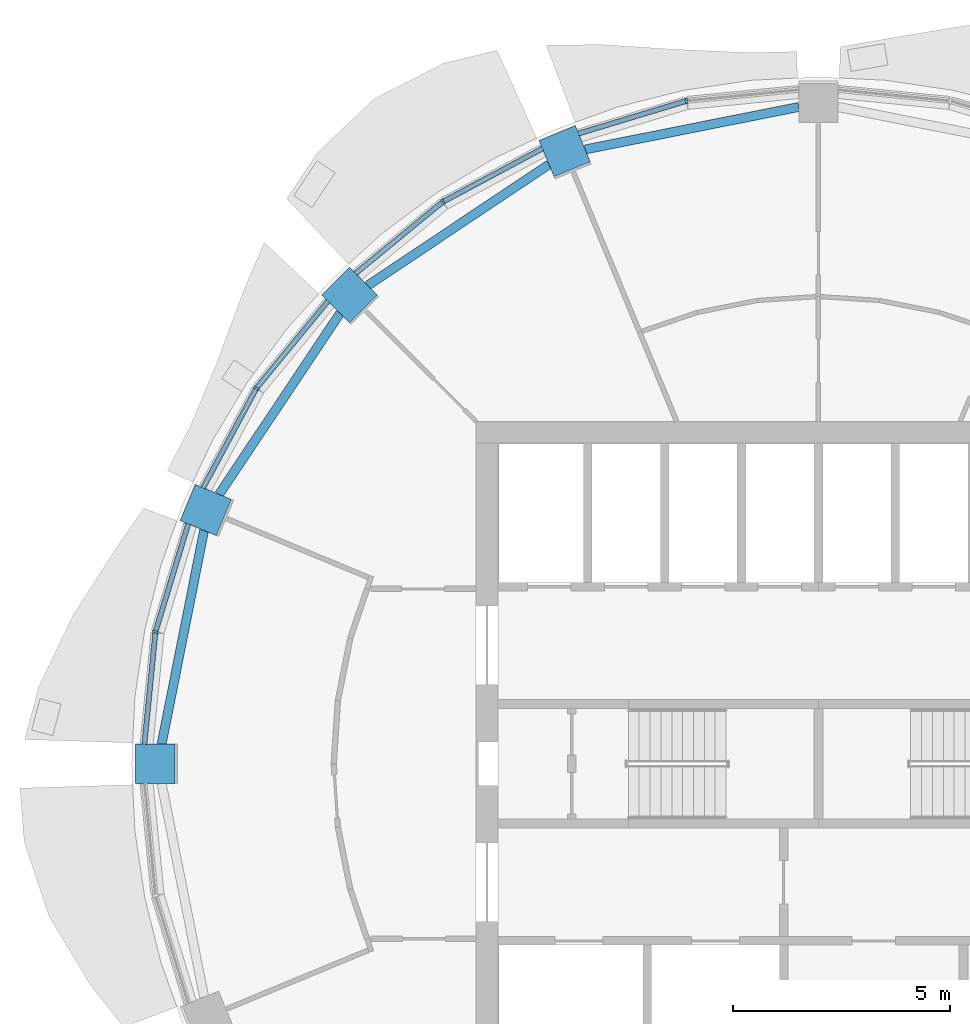
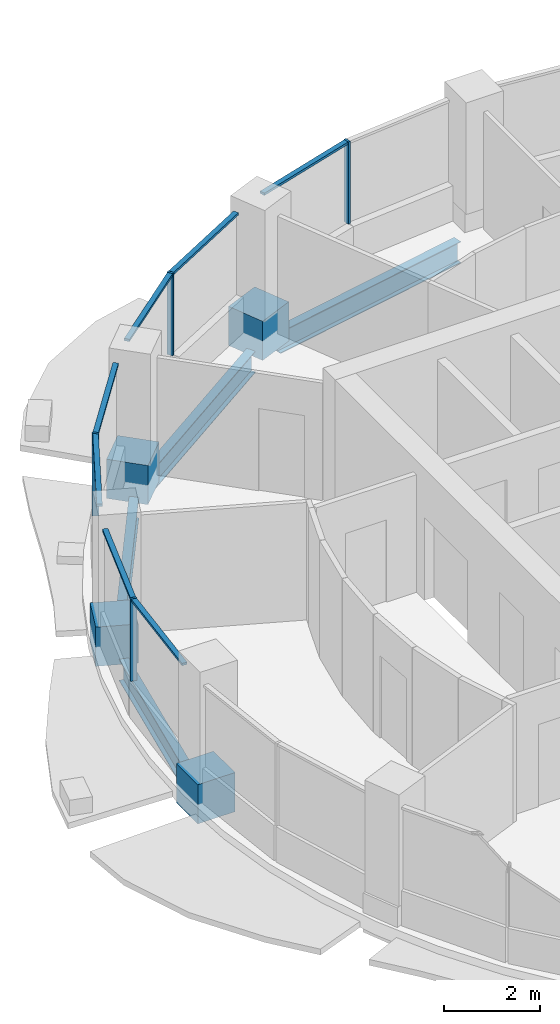
# One storey, part 4 of 14: 15 members, 4 beams, 4 elements without a shape of their own.
"""IFC4 building model written with IfcOpenShell, lengths in metres."""

from ifc_helpers import new_model, si_unit, direction, frame, origin, origin_2d, place, context, subcontext, project, spatial, rectangle, i_section, extrude, material, material_profile, profile_set, type_object, element, aggregate, save


model = new_model("IFC4")

# Units and contexts
model_context = context("Model", 3, precision=1e-05, world=origin(), true_north=direction((0.0, 1.0)))
body_context = subcontext(model_context, "Body", "Model", "MODEL_VIEW")
ifc_project = project(units=[si_unit("LENGTHUNIT", "METRE"), si_unit("AREAUNIT", "SQUARE_METRE"), si_unit("VOLUMEUNIT", "CUBIC_METRE"), si_unit("PLANEANGLEUNIT", "RADIAN"), si_unit("MASSUNIT", "GRAM", prefix="KILO")], contexts=[model_context])

# Site, building, storey
site_placement = place(None, origin())
site = spatial("IfcSite", under=ifc_project, at=site_placement, CompositionType="ELEMENT")
building_placement = place(site_placement, origin())
building = spatial("IfcBuilding", under=site, at=building_placement, Name="Polderwave Tower", CompositionType="ELEMENT")
storey_placement = place(building_placement, frame((0.0, 0.0, 217.800048828125)))
storey = spatial("IfcBuildingStorey", under=building, at=storey_placement, Name="L59", CompositionType="ELEMENT", Elevation=217.800048828125)

# Curtain wall, member
ifc_material_1 = material(Name="Aluminium 6063-T6 and glass", Category="aluminium")
curtain_wall_type = type_object("IfcCurtainWallType", Name="Office ribbon glazing wall", PredefinedType="NOTDEFINED", material=ifc_material_1)
curtain_wall_1_placement = place(storey_placement, origin())
curtain_wall_1 = element("IfcCurtainWall", 1, at=curtain_wall_1_placement, inside=storey, type_object=curtain_wall_type, Name="CW3 L59 04", PredefinedType="NOTDEFINED")
ifc_material_2 = material(Name="Aluminium 6063-T6", Category="aluminium")
ifc_material_profile_1 = material_profile(ifc_material_2, rectangle(XDim=0.139892578125, YDim=0.054931640625, at=origin_2d()), Name="AL 55x140")
ifc_profile_set_1 = profile_set([ifc_material_profile_1], Name="Aluminium 6063-T6")
member_type_1 = type_object("IfcMemberType", Name="Office ribbon glazing mullion 55x140", PredefinedType="MULLION", material=ifc_profile_set_1)
member_1_placement = place(storey_placement, frame((-3.033935546875, 15.2509765625, 0.89990234375), z_axis=(0.0, 0.0, 1.0), x_axis=(0.195092033809, -0.980784939905, 0.0)))
member_1 = element("IfcMember", 2, at=member_1_placement, type_object=member_type_1, Name="CW3 mullion 1", PredefinedType="MULLION", context=body_context, shape_type="SweptSolid", body=[
    extrude(rectangle(XDim=0.139892578125, YDim=0.054931640625, at=origin_2d()), origin(), (0.0, 0.0, 1.0), 2.10009765625),
])

curtain_wall_2_placement = place(storey_placement, origin())
curtain_wall_2 = element("IfcCurtainWall", 3, at=curtain_wall_2_placement, inside=storey, type_object=curtain_wall_type, Name="CW3 L59 05", PredefinedType="NOTDEFINED")
member_2_placement = place(storey_placement, frame((-8.638916015625, 12.928955078125, 0.89990234375), z_axis=(0.0, 0.0, 1.0), x_axis=(0.555628279195, -0.831430824157, 0.0)))
member_2 = element("IfcMember", 4, at=member_2_placement, type_object=member_type_1, Name="CW3 mullion 1", PredefinedType="MULLION", context=body_context, shape_type="SweptSolid", body=[
    extrude(rectangle(XDim=0.139892578125, YDim=0.054931640625, at=origin_2d()), origin(), (0.0, 0.0, 1.0), 2.10009765625),
])

curtain_wall_3_placement = place(storey_placement, origin())
curtain_wall_3 = element("IfcCurtainWall", 5, at=curtain_wall_3_placement, inside=storey, type_object=curtain_wall_type, Name="CW3 L59 06", PredefinedType="NOTDEFINED")
member_3_placement = place(storey_placement, frame((-12.928955078125, 8.638916015625, 0.89990234375), z_axis=(0.0, 0.0, 1.0), x_axis=(0.831430824157, -0.555628279195, 0.0)))
member_3 = element("IfcMember", 6, at=member_3_placement, type_object=member_type_1, Name="CW3 mullion 1", PredefinedType="MULLION", context=body_context, shape_type="SweptSolid", body=[
    extrude(rectangle(XDim=0.139892578125, YDim=0.054931640625, at=origin_2d()), origin(), (0.0, 0.0, 1.0), 2.10009765625),
])

curtain_wall_4_placement = place(storey_placement, origin())
curtain_wall_4 = element("IfcCurtainWall", 7, at=curtain_wall_4_placement, inside=storey, type_object=curtain_wall_type, Name="CW3 L59 07", PredefinedType="NOTDEFINED")
member_4_placement = place(storey_placement, frame((-15.2509765625, 3.033935546875, 0.89990234375), z_axis=(0.0, 0.0, 1.0), x_axis=(0.980784939905, -0.195092033809, 0.0)))
member_4 = element("IfcMember", 8, at=member_4_placement, type_object=member_type_1, Name="CW3 mullion 1", PredefinedType="MULLION", context=body_context, shape_type="SweptSolid", body=[
    extrude(rectangle(XDim=0.139892578125, YDim=0.054931640625, at=origin_2d()), origin(), (0.0, 0.0, 1.0), 2.10009765625),
])

# Member
ifc_material_profile_2 = material_profile(ifc_material_2, rectangle(XDim=0.1201171875, YDim=0.06005859375, at=origin_2d()), Name="AL 60x120")
ifc_profile_set_2 = profile_set([ifc_material_profile_2], Name="Aluminium 6063-T6")
member_type_2 = type_object("IfcMemberType", Name="Office ribbon glazing transom 60x120", PredefinedType="USERDEFINED", material=ifc_profile_set_2)
member_5_placement = place(storey_placement, frame((-3.060302734375, 15.242919921875, 2.969970703125), z_axis=(-0.95701400989, -0.290041695061, 0.0), x_axis=(0.290041695061, -0.95701400989, 0.0)))
member_5 = element("IfcMember", 9, at=member_5_placement, type_object=member_type_2, Name="CW3 transom 2", ObjectType="TRANSOM", PredefinedType="USERDEFINED", context=body_context, shape_type="SweptSolid", body=[
    extrude(rectangle(XDim=0.1201171875, YDim=0.06005859375, at=origin_2d()), origin(), (0.0, 0.0, 1.0), 2.568115234375),
])

aggregate(curtain_wall_1, [member_1, member_5])

member_6_placement = place(storey_placement, frame((-6.35009765625, 14.153076171875, 2.969970703125), z_axis=(-0.881807627189, -0.471609275387, 0.0), x_axis=(0.471609275387, -0.881807627189, 0.0)))
member_6 = element("IfcMember", 10, at=member_6_placement, type_object=member_type_2, Name="CW3 transom 1", ObjectType="TRANSOM", PredefinedType="USERDEFINED", context=body_context, shape_type="SweptSolid", body=[
    extrude(rectangle(XDim=0.1201171875, YDim=0.06005859375, at=origin_2d()), origin(), (0.0, 0.0, 1.0), 2.568115234375),
])

member_7_placement = place(storey_placement, frame((-8.660400390625, 12.91162109375, 2.969970703125), z_axis=(-0.772990905552, -0.634417102491, 0.0), x_axis=(0.634417102491, -0.772990905552, 0.0)))
member_7 = element("IfcMember", 11, at=member_7_placement, type_object=member_type_2, Name="CW3 transom 2", ObjectType="TRANSOM", PredefinedType="USERDEFINED", context=body_context, shape_type="SweptSolid", body=[
    extrude(rectangle(XDim=0.1201171875, YDim=0.06005859375, at=origin_2d()), origin(), (0.0, 0.0, 1.0), 2.568603515625),
])

aggregate(curtain_wall_2, [member_2, member_6, member_7])

member_8_placement = place(storey_placement, frame((-11.281982421875, 10.64599609375, 2.969970703125), z_axis=(-0.634417102491, -0.772990905552, 0.0), x_axis=(0.772990905552, -0.634417102491, 0.0)))
member_8 = element("IfcMember", 12, at=member_8_placement, type_object=member_type_2, Name="CW3 transom 1", ObjectType="TRANSOM", PredefinedType="USERDEFINED", context=body_context, shape_type="SweptSolid", body=[
    extrude(rectangle(XDim=0.1201171875, YDim=0.06005859375, at=origin_2d()), origin(), (0.0, 0.0, 1.0), 2.568603515625),
])

member_9_placement = place(storey_placement, frame((-12.94189453125, 8.61474609375, 2.969970703125), z_axis=(-0.471609275387, -0.881807627189, 0.0), x_axis=(0.881807627189, -0.471609275387, 0.0)))
member_9 = element("IfcMember", 13, at=member_9_placement, type_object=member_type_2, Name="CW3 transom 2", ObjectType="TRANSOM", PredefinedType="USERDEFINED", context=body_context, shape_type="SweptSolid", body=[
    extrude(rectangle(XDim=0.1201171875, YDim=0.06005859375, at=origin_2d()), origin(), (0.0, 0.0, 1.0), 2.568115234375),
])

aggregate(curtain_wall_3, [member_3, member_8, member_9])

member_10_placement = place(storey_placement, frame((-14.498046875, 5.51806640625, 2.969970703125), z_axis=(-0.290041695061, -0.95701400989, 0.0), x_axis=(0.95701400989, -0.290041695061, 0.0)))
member_10 = element("IfcMember", 14, at=member_10_placement, type_object=member_type_2, Name="CW3 transom 1", ObjectType="TRANSOM", PredefinedType="USERDEFINED", context=body_context, shape_type="SweptSolid", body=[
    extrude(rectangle(XDim=0.1201171875, YDim=0.06005859375, at=origin_2d()), origin(), (0.0, 0.0, 1.0), 2.568115234375),
])

member_11_placement = place(storey_placement, frame((-15.253662109375, 3.006591796875, 2.969970703125), z_axis=(-0.098261657218, -0.99516061353, 0.0), x_axis=(0.99516061353, -0.098261657218, 0.0)))
member_11 = element("IfcMember", 15, at=member_11_placement, type_object=member_type_2, Name="CW3 transom 2", ObjectType="TRANSOM", PredefinedType="USERDEFINED", context=body_context, shape_type="SweptSolid", body=[
    extrude(rectangle(XDim=0.1201171875, YDim=0.06005859375, at=origin_2d()), origin(), (0.0, 0.0, 1.0), 2.569091796875),
])

aggregate(curtain_wall_4, [member_4, member_10, member_11])

# Members
ifc_material_3 = material(Name="Concrete C60/75", Category="concrete")
ifc_material_profile_3 = material_profile(ifc_material_3, rectangle(XDim=0.89990234375, YDim=0.89990234375, at=origin_2d()), Name="RC 900x900")
ifc_profile_set_3 = profile_set([ifc_material_profile_3], Name="Concrete C60/75")
member_type_3 = type_object("IfcMemberType", Name="RC NODE 900x900 C60/75", PredefinedType="POST", material=ifc_profile_set_3)
for number, where, z_axis, x_axis, name in (
    (16, (-5.838134765625, 14.0947265625, -0.5), (0.0, 0.0, 1.0), (-0.382683432365, 0.923879532511, 0.0), "Ring column node 06"),
    (17, (-10.78759765625, 10.78759765625, -0.5), (0.0, 0.0, 1.0), (-0.707106781187, 0.707106781187, 0.0), "Ring column node 07"),
    (18, (-14.0947265625, 5.838134765625, -0.5), (0.0, 0.0, 1.0), (-0.923879532511, 0.382683432365, 0.0), "Ring column node 08"),
    (19, (-15.255859375, 0.0, -0.5), (0.0, 0.0, 1.0), (-1.0, 0.0, 0.0), "Ring column node 09"),
):
    element("IfcMember", number, at=place(storey_placement, frame(where, z_axis=z_axis, x_axis=x_axis)), inside=storey, type_object=member_type_3, Name=name, PredefinedType="POST", context=body_context, shape_type="SweptSolid", body=[
        extrude(rectangle(XDim=0.89990234375, YDim=0.89990234375, at=origin_2d()), origin(), (0.0, 0.0, 1.0), 1.0),
    ])

# Beams
ifc_material_4 = material(Name="Steel S355", Category="steel")
ifc_material_profile_4 = material_profile(ifc_material_4, i_section(OverallWidth=0.2099609375, OverallDepth=0.550048828125, WebThickness=0.010986328125, FlangeThickness=0.01708984375, at=origin_2d()), Name="IPE 550")
ifc_profile_set_4 = profile_set([ifc_material_profile_4], Name="Steel S355")
beam_type = type_object("IfcBeamType", Name="RING BEAM IPE 550", PredefinedType="BEAM", material=ifc_profile_set_4)
for number, where, z_axis, x_axis, name in (
    (20, (-0.449951171875, 15.110595703125, -0.625), (-0.980784312822, -0.195095186313, 0.0), (0.195095186313, -0.980784312822, 0.0), "ST-RB-L59-04"),
    (21, (-6.1982421875, 13.7880859375, -0.625), (-0.831465425301, -0.555576499258, 0.0), (0.555576499258, -0.831465425301, 0.0), "ST-RB-L59-05"),
    (22, (-11.0029296875, 10.366455078125, -0.625), (-0.555576499258, -0.831465425301, 0.0), (0.831465425301, -0.555576499258, 0.0), "ST-RB-L59-06"),
    (23, (-14.132568359375, 5.36669921875, -0.625), (-0.195095186313, -0.980784312822, 0.0), (0.980784312822, -0.195095186313, 0.0), "ST-RB-L59-07"),
):
    element("IfcBeam", number, at=place(storey_placement, frame(where, z_axis=z_axis, x_axis=x_axis)), inside=storey, type_object=beam_type, Name=name, PredefinedType="BEAM", context=body_context, shape_type="SweptSolid", body=[
        extrude(i_section(OverallWidth=0.2099609375, OverallDepth=0.550048828125, WebThickness=0.010986328125, FlangeThickness=0.01708984375, at=origin_2d()), origin(), (0.0, 0.0, 1.0), 5.01318359375),
    ])

save(model, "model.ifc")
